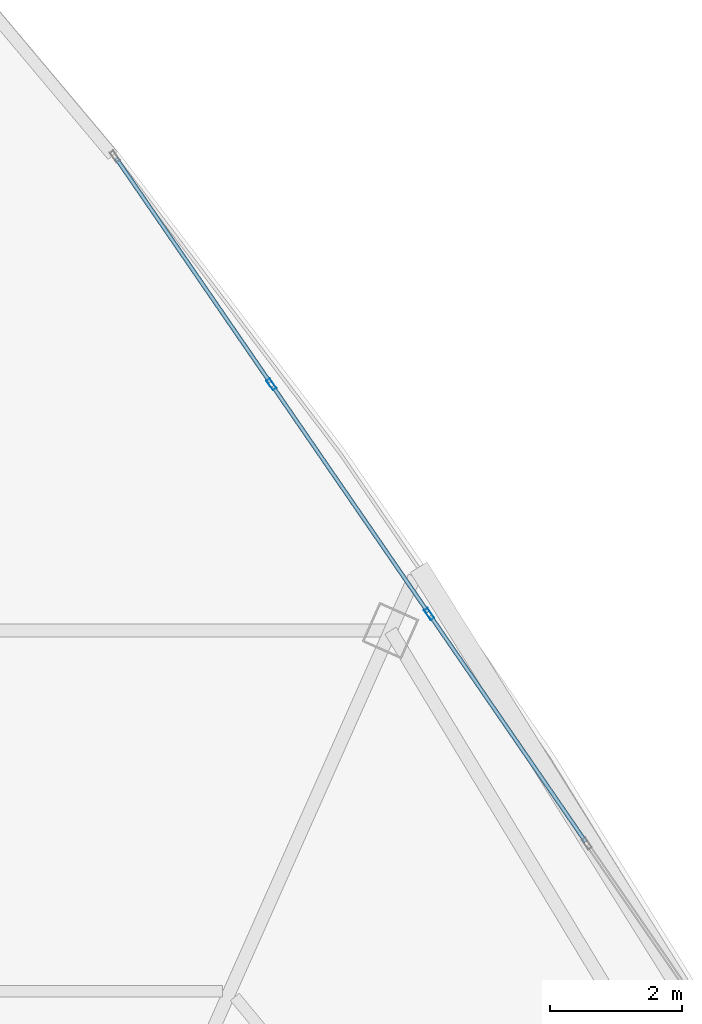
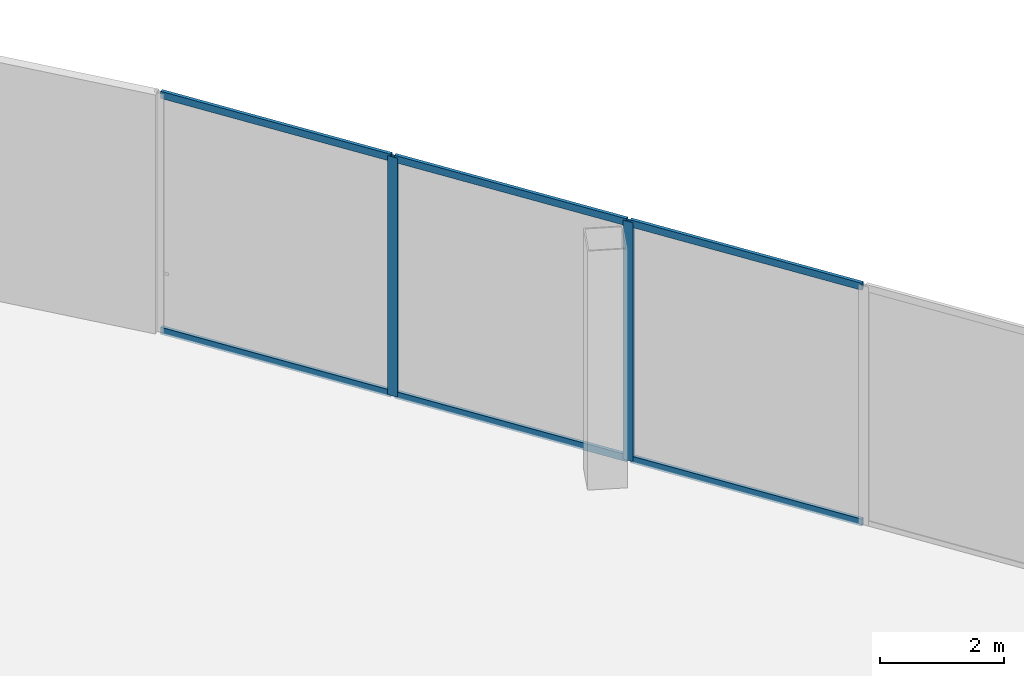
# One storey, part 27 of 33: 8 members, 1 element without a shape of its own.
"""IFC4 building model written with IfcOpenShell, lengths in metres."""

from ifc_helpers import new_model, si_unit, direction, frame, origin, origin_2d, place, context, subcontext, project, spatial, hollow_rectangle, extrude, source, transform, mapped, material, layer, layer_set, material_profile, profile_set, type_object, element, aggregate, save


model = new_model("IFC4")

# Units and contexts
model_context = context("Model", 3, precision=1e-05, world=origin(), true_north=direction((0.0, 1.0)))
body_context = subcontext(model_context, "Body", "Model", "MODEL_VIEW")
ifc_project = project(units=[si_unit("LENGTHUNIT", "METRE"), si_unit("AREAUNIT", "SQUARE_METRE"), si_unit("VOLUMEUNIT", "CUBIC_METRE"), si_unit("PLANEANGLEUNIT", "RADIAN"), si_unit("MASSUNIT", "GRAM", prefix="KILO"), si_unit("THERMODYNAMICTEMPERATUREUNIT", "KELVIN"), si_unit("POWERUNIT", "WATT")], contexts=[model_context])

# Site, building, storey
site_placement = place(None, origin())
site = spatial("IfcSite", under=ifc_project, at=site_placement, CompositionType="ELEMENT")
building_placement = place(site_placement, origin())
building = spatial("IfcBuilding", under=site, at=building_placement, Name="Yunzhuo Pagoda Commons", CompositionType="ELEMENT")
storey_placement = place(building_placement, frame((0.0, 0.0, 386.760009765625)))
storey = spatial("IfcBuildingStorey", under=building, at=storey_placement, Name="L96", CompositionType="ELEMENT", Elevation=386.760009765625)

# Curtain wall, members
ifc_material = material(Name="Anodized aluminium 6063-T6", Category="aluminium")
ifc_layer = layer(ifc_material, 0.179931640625)
ifc_layer_set = layer_set([ifc_layer], Name="Anodized aluminium 6063-T6")
curtain_wall_type = type_object("IfcCurtainWallType", Name="CW-CRN Crown Gable Glazing System", PredefinedType="NOTDEFINED", material=ifc_layer_set)
curtain_wall_placement = place(storey_placement, origin())
curtain_wall = element("IfcCurtainWall", 1, at=curtain_wall_placement, inside=storey, type_object=curtain_wall_type, Name="L96 curtain wall CW-L96-CRNF2G2", PredefinedType="NOTDEFINED")
ifc_material_profile_1 = material_profile(ifc_material, hollow_rectangle(XDim=0.06494140625, YDim=0.179931640625, WallThickness=0.00390625, at=origin_2d()), Name="Anodized aluminium 6063-T6")
ifc_profile_set_1 = profile_set([ifc_material_profile_1], Name="Anodized aluminium 6063-T6")
member_type_1 = type_object("IfcMemberType", Name="CW-CRN-M Mullion RHS 180x65x4", PredefinedType="MULLION", material=ifc_profile_set_1)
shared_shape_1 = source(origin(), body_context, "Body", "SweptSolid", [
    extrude(hollow_rectangle(XDim=0.06494140625, YDim=0.179931640625, WallThickness=0.00390625, at=origin_2d()), origin(), (0.0, 0.0, 1.0), 4.72021484375),
])
member_1_placement = place(storey_placement, frame((59.083984375, 57.5341796875, 0.0), z_axis=(0.0, 0.0, 1.0), x_axis=(-0.824296116005, -0.566158911561, 0.0)))
member_1 = element("IfcMember", 2, at=member_1_placement, type_object=member_type_1, Name="CW mullion 3", PredefinedType="MULLION", context=body_context, shape_type="MappedRepresentation", body=[
    mapped(shared_shape_1, transform((0.0, 0.0, 0.0), scale=1.0)),
])
member_2_placement = place(storey_placement, frame((56.693359375, 61.014892578125, 0.0), z_axis=(0.0, 0.0, 1.0), x_axis=(-0.824296116005, -0.566158911561, 0.0)))
member_2 = element("IfcMember", 3, at=member_2_placement, type_object=member_type_1, Name="CW mullion 4", PredefinedType="MULLION", context=body_context, shape_type="MappedRepresentation", body=[
    mapped(shared_shape_1, transform((0.0, 0.0, 0.0), scale=1.0)),
])
ifc_material_profile_2 = material_profile(ifc_material, hollow_rectangle(XDim=0.06005859375, YDim=0.139892578125, WallThickness=0.00341796875, at=origin_2d()), Name="Anodized aluminium 6063-T6")
ifc_profile_set_2 = profile_set([ifc_material_profile_2], Name="Anodized aluminium 6063-T6")
member_type_2 = type_object("IfcMemberType", Name="CW-CRN-T Transom RHS 140x60x3.5", PredefinedType="USERDEFINED", material=ifc_profile_set_2)
shared_shape_2 = source(origin(), body_context, "Body", "SweptSolid", [
    extrude(hollow_rectangle(XDim=0.06005859375, YDim=0.139892578125, WallThickness=0.00341796875, at=origin_2d()), origin(), (0.0, 0.0, 1.0), 4.125244140625),
])
member_3_placement = place(storey_placement, frame((56.6748046875, 61.04150390625, 0.030029296875), z_axis=(-0.566079141113, 0.824350899797, 0.0), x_axis=(-0.824350899797, -0.566079141113, 0.0)))
member_3 = element("IfcMember", 4, at=member_3_placement, type_object=member_type_2, Name="CW transom 4.1", ObjectType="TRANSOM", PredefinedType="USERDEFINED", context=body_context, shape_type="MappedRepresentation", body=[
    mapped(shared_shape_2, transform((0.0, 0.0, 0.0), scale=1.0)),
])
member_4_placement = place(storey_placement, frame((56.6748046875, 61.04150390625, 4.68994140625), z_axis=(-0.566079141113, 0.824350899797, 0.0), x_axis=(-0.824350899797, -0.566079141113, 0.0)))
member_4 = element("IfcMember", 5, at=member_4_placement, type_object=member_type_2, Name="CW transom 4.2", ObjectType="TRANSOM", PredefinedType="USERDEFINED", context=body_context, shape_type="MappedRepresentation", body=[
    mapped(shared_shape_2, transform((0.0, 0.0, 0.0), scale=1.0)),
])
shared_shape_3 = source(origin(), body_context, "Body", "SweptSolid", [
    extrude(hollow_rectangle(XDim=0.06005859375, YDim=0.139892578125, WallThickness=0.00341796875, at=origin_2d()), origin(), (0.0, 0.0, 1.0), 4.15771484375),
])
member_5_placement = place(storey_placement, frame((61.456298828125, 54.080078125, 0.030029296875), z_axis=(-0.566164930277, 0.824291982082, 0.0), x_axis=(-0.824291982082, -0.566164930277, 0.0)))
member_5 = element("IfcMember", 6, at=member_5_placement, type_object=member_type_2, Name="CW transom 2.1", ObjectType="TRANSOM", PredefinedType="USERDEFINED", context=body_context, shape_type="MappedRepresentation", body=[
    mapped(shared_shape_3, transform((0.0, 0.0, 0.0), scale=1.0)),
])
member_6_placement = place(storey_placement, frame((61.456298828125, 54.080078125, 4.68994140625), z_axis=(-0.566164930277, 0.824291982082, 0.0), x_axis=(-0.824291982082, -0.566164930277, 0.0)))
member_6 = element("IfcMember", 7, at=member_6_placement, type_object=member_type_2, Name="CW transom 2.2", ObjectType="TRANSOM", PredefinedType="USERDEFINED", context=body_context, shape_type="MappedRepresentation", body=[
    mapped(shared_shape_3, transform((0.0, 0.0, 0.0), scale=1.0)),
])
member_7_placement = place(storey_placement, frame((59.065673828125, 57.560791015625, 0.030029296875), z_axis=(-0.566164930277, 0.824291982082, 0.0), x_axis=(-0.824291982082, -0.566164930277, 0.0)))
member_7 = element("IfcMember", 8, at=member_7_placement, type_object=member_type_2, Name="CW transom 3.1", ObjectType="TRANSOM", PredefinedType="USERDEFINED", context=body_context, shape_type="MappedRepresentation", body=[
    mapped(shared_shape_3, transform((0.0, 0.0, 0.0), scale=1.0)),
])
member_8_placement = place(storey_placement, frame((59.065673828125, 57.560791015625, 4.68994140625), z_axis=(-0.566164930277, 0.824291982082, 0.0), x_axis=(-0.824291982082, -0.566164930277, 0.0)))
member_8 = element("IfcMember", 9, at=member_8_placement, type_object=member_type_2, Name="CW transom 3.2", ObjectType="TRANSOM", PredefinedType="USERDEFINED", context=body_context, shape_type="MappedRepresentation", body=[
    mapped(shared_shape_3, transform((0.0, 0.0, 0.0), scale=1.0)),
])
aggregate(curtain_wall, [member_1, member_2, member_5, member_6, member_7, member_8, member_3, member_4])

save(model, "model.ifc")
